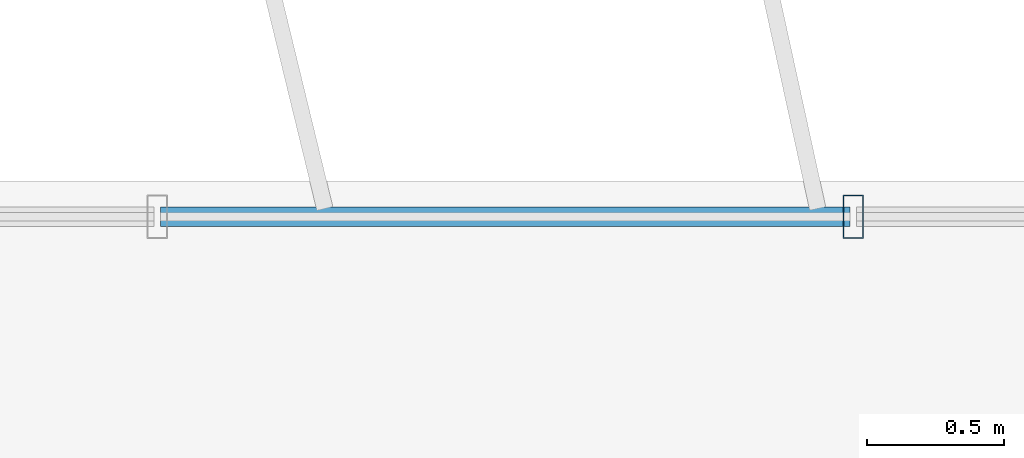
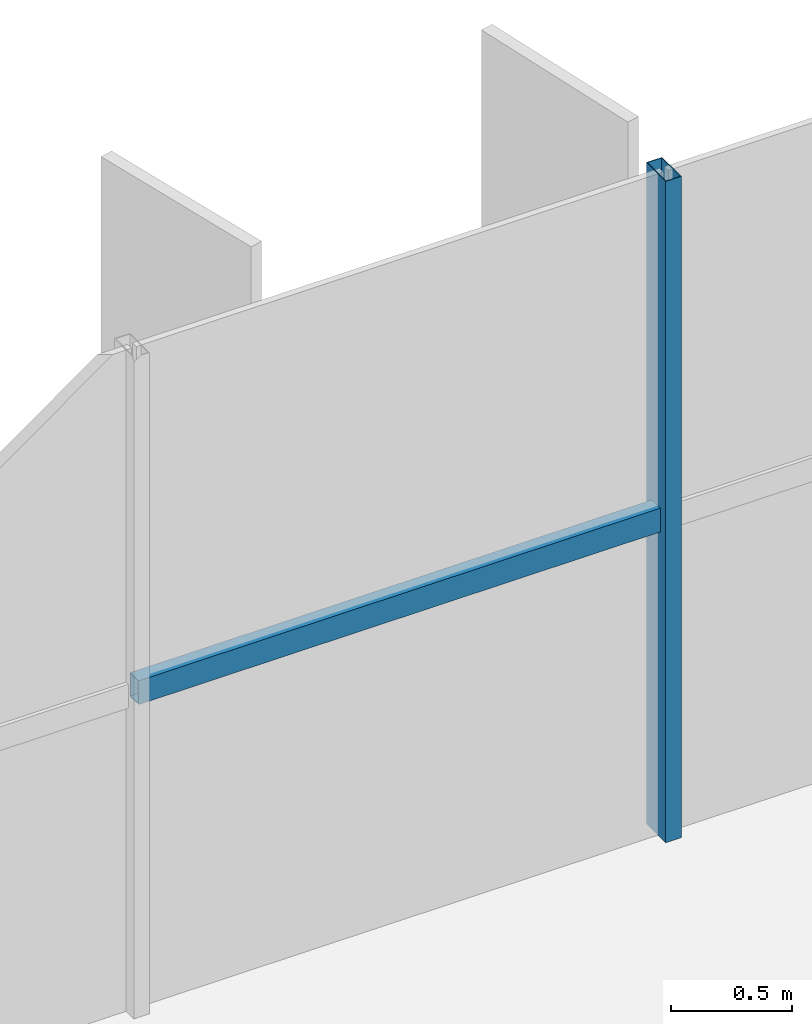
# One storey, part 8 of 22: 2 members, 1 element without a shape of its own.
"""IFC4 building model written with IfcOpenShell, lengths in metres."""

from ifc_helpers import new_model, si_unit, direction, frame, origin, origin_2d, place, context, subcontext, project, spatial, hollow_rectangle, extrude, source, transform, mapped, material, material_profile, profile_set, type_object, element, aggregate, save


model = new_model("IFC4")

# Units and contexts
model_context = context("Model", 3, precision=1e-05, world=origin(), true_north=direction((0.0, 1.0)))
body_context = subcontext(model_context, "Body", "Model", "MODEL_VIEW")
ifc_project = project(units=[si_unit("LENGTHUNIT", "METRE"), si_unit("AREAUNIT", "SQUARE_METRE"), si_unit("VOLUMEUNIT", "CUBIC_METRE"), si_unit("PLANEANGLEUNIT", "RADIAN"), si_unit("MASSUNIT", "GRAM", prefix="KILO")], contexts=[model_context])

# Site, building, storey
site_placement = place(None, origin())
site = spatial("IfcSite", under=ifc_project, at=site_placement, CompositionType="ELEMENT")
building_placement = place(site_placement, origin())
building = spatial("IfcBuilding", under=site, at=building_placement, Name="Trelvane Seafront Commons", CompositionType="ELEMENT")
storey_placement = place(building_placement, frame((0.0, 0.0, 59.5)))
storey = spatial("IfcBuildingStorey", under=building, at=storey_placement, Name="L15", CompositionType="ELEMENT", Elevation=59.5)

# Curtain wall, members
ifc_material = material(Name="Anodised pale-silver aluminium", Category="aluminium")
curtain_wall_type = type_object("IfcCurtainWallType", Name="ARCH-CW2-LOWTOWER", PredefinedType="NOTDEFINED", material=ifc_material)
curtain_wall_placement = place(storey_placement, origin())
curtain_wall = element("IfcCurtainWall", 1, at=curtain_wall_placement, inside=storey, type_object=curtain_wall_type, Name="CW-L15-0039", PredefinedType="NOTDEFINED")
ifc_material_profile_1 = material_profile(ifc_material, hollow_rectangle(XDim=0.074951171875, YDim=0.159912109375, WallThickness=0.00390625, at=origin_2d()), Name="MULL-75x160x4")
ifc_profile_set_1 = profile_set([ifc_material_profile_1], Name="Anodised pale-silver aluminium")
member_type_1 = type_object("IfcMemberType", Name="ARCH-CW-MULL-160", PredefinedType="MULLION", material=ifc_profile_set_1)
shared_shape_1 = source(origin(), body_context, "Body", "SweptSolid", [
    extrude(hollow_rectangle(XDim=0.074951171875, YDim=0.159912109375, WallThickness=0.00390625, at=origin_2d()), origin(), (0.0, 0.0, 1.0), 3.340087890625),
])
member_1_placement = place(storey_placement, frame((35.929443359375, 48.3701171875, 0.0), z_axis=(0.0, 0.0, 1.0), x_axis=(1.0, 0.0, 0.0)))
member_1 = element("IfcMember", 2, at=member_1_placement, type_object=member_type_1, Name="CW-L15-0039-M08", PredefinedType="MULLION", context=body_context, shape_type="MappedRepresentation", body=[
    mapped(shared_shape_1, transform((0.0, 0.0, 0.0), x_axis=(1.0, 0.0, 0.0), y_axis=(0.0, 1.0, 0.0), z_axis=(0.0, 0.0, 1.0), scale=1.0)),
])
ifc_material_profile_2 = material_profile(ifc_material, hollow_rectangle(XDim=0.070068359375, YDim=0.1201171875, WallThickness=0.00390625, at=origin_2d()), Name="TRAN-70x120x4")
ifc_profile_set_2 = profile_set([ifc_material_profile_2], Name="Anodised pale-silver aluminium")
member_type_2 = type_object("IfcMemberType", Name="ARCH-CW-TRAN-120", PredefinedType="USERDEFINED", material=ifc_profile_set_2)
shared_shape_2 = source(origin(), body_context, "Body", "SweptSolid", [
    extrude(hollow_rectangle(XDim=0.070068359375, YDim=0.1201171875, WallThickness=0.00390625, at=origin_2d()), origin(), (0.0, 0.0, 1.0), 2.517333984375),
])
member_2_placement = place(storey_placement, frame((33.400146484375, 48.3701171875, 1.60302734375), z_axis=(1.0, 0.0, 0.0), x_axis=(0.0, 1.0, 0.0)))
member_2 = element("IfcMember", 3, at=member_2_placement, type_object=member_type_2, Name="CW-L15-0039-T07", ObjectType="TRANSOM", PredefinedType="USERDEFINED", context=body_context, shape_type="MappedRepresentation", body=[
    mapped(shared_shape_2, transform((0.0, 0.0, 0.0), x_axis=(1.0, 0.0, 0.0), y_axis=(0.0, 1.0, 0.0), z_axis=(0.0, 0.0, 1.0), scale=1.0)),
])
aggregate(curtain_wall, [member_1, member_2])

save(model, "model.ifc")
